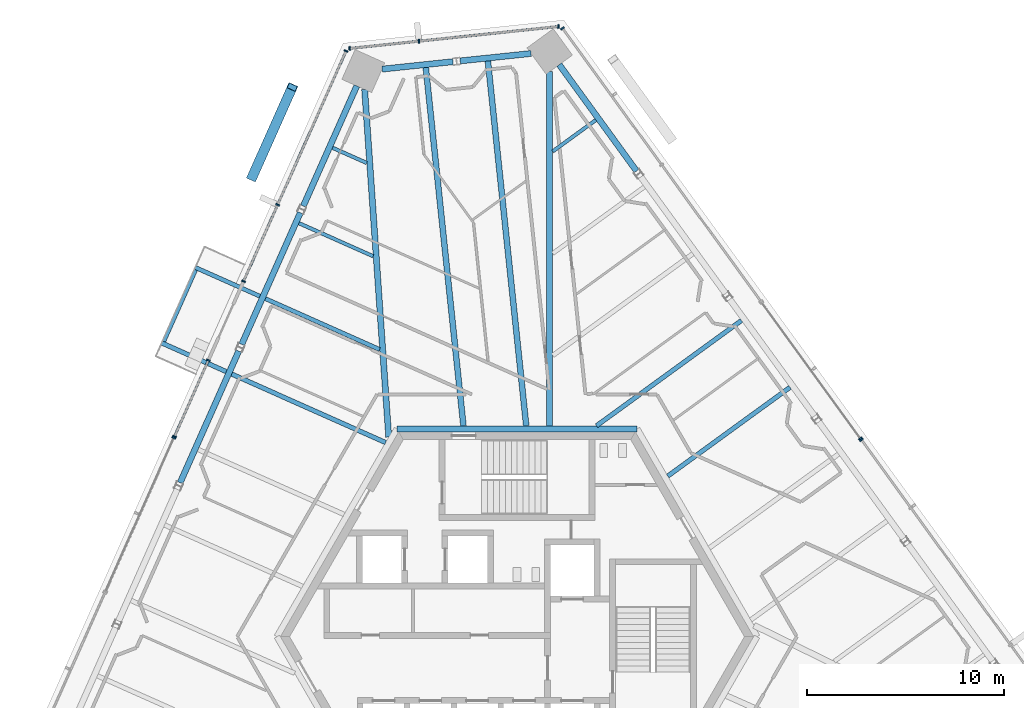
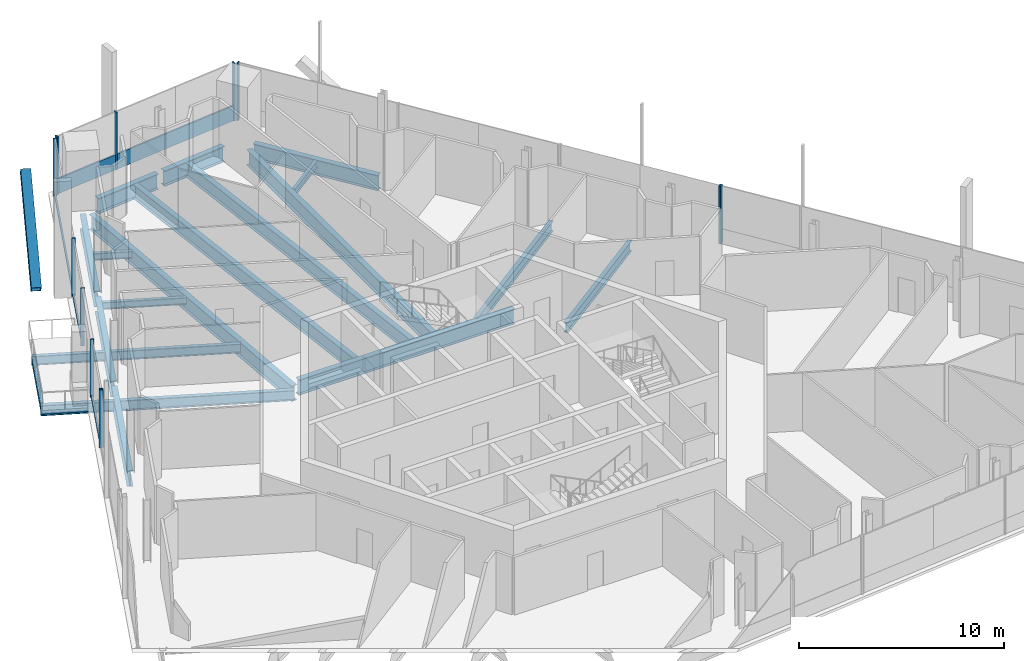
# One storey, part 7 of 21: 21 beams, 18 members, 7 elements without a shape of their own.
"""IFC4 building model written with IfcOpenShell, lengths in metres."""

from ifc_helpers import new_model, si_unit, direction, frame, origin, origin_2d, place, context, subcontext, project, spatial, rectangle, hollow_rectangle, i_section, extrude, source, transform, mapped, material, material_profile, profile_set, type_object, element, aggregate, save


model = new_model("IFC4")

# Units and contexts
model_context = context("Model", 3, precision=1e-05, world=origin(), true_north=direction((0.0, 1.0)))
body_context = subcontext(model_context, "Body", "Model", "MODEL_VIEW")
ifc_project = project(units=[si_unit("LENGTHUNIT", "METRE"), si_unit("AREAUNIT", "SQUARE_METRE"), si_unit("VOLUMEUNIT", "CUBIC_METRE"), si_unit("PLANEANGLEUNIT", "RADIAN"), si_unit("MASSUNIT", "GRAM", prefix="KILO")], contexts=[model_context])

# Site, building, storey
site_placement = place(None, origin())
site = spatial("IfcSite", under=ifc_project, at=site_placement, CompositionType="ELEMENT")
building_placement = place(site_placement, origin())
building = spatial("IfcBuilding", under=site, at=building_placement, Name="Triune Harvest Tower", CompositionType="ELEMENT")
storey_placement = place(building_placement, frame((0.0, 0.0, 248.5)))
storey = spatial("IfcBuildingStorey", under=building, at=storey_placement, Name="L65", CompositionType="ELEMENT", Elevation=248.5)

# Curtain wall, member
ifc_material_1 = material(Name="Aluminium bronze anodised", Category="aluminium")
curtain_wall_type_1 = type_object("IfcCurtainWallType", Name="CW-10 Balcony window wall with insulated spandrel infill", PredefinedType="NOTDEFINED", material=ifc_material_1)
curtain_wall_1_placement = place(storey_placement, origin())
curtain_wall_1 = element("IfcCurtainWall", 1, at=curtain_wall_1_placement, inside=storey, type_object=curtain_wall_type_1, Name="CW-10 B6-F3 L65 run 2")
ifc_material_2 = material(Name="Aluminium bronze anodised", Category="aluminium")
ifc_material_profile_1 = material_profile(ifc_material_2, rectangle(XDim=0.090087890625, YDim=0.14990234375, at=origin_2d()), Name="TR-6 transom 90 x 150")
ifc_profile_set_1 = profile_set([ifc_material_profile_1], Name="Aluminium bronze anodised")
member_type_1 = type_object("IfcMemberType", Name="TR-6 transom 90 x 150", PredefinedType="USERDEFINED", material=ifc_profile_set_1)
member_1_placement = place(storey_placement, frame((-15.671142578125, 13.982421875, 0.074951171875), z_axis=(-0.406749189911, -0.913539871329, 0.0), x_axis=(0.913539871329, -0.406749189911, 0.0)))
member_1 = element("IfcMember", 2, at=member_1_placement, type_object=member_type_1, Name="CW-10 transom B6-F3 2.1", ObjectType="TRANSOM", PredefinedType="USERDEFINED", context=body_context, shape_type="SweptSolid", body=[
    extrude(rectangle(XDim=0.090087890625, YDim=0.14990234375, at=origin_2d()), origin(), (0.0, 0.0, 1.0), 4.153564453125),
])

# Beams
ifc_material_3 = material(Name="Steel ASTM A992 Gr 50", Category="steel")
ifc_material_profile_2 = material_profile(ifc_material_3, i_section(OverallWidth=0.3046875, OverallDepth=0.914306640625, WebThickness=0.0166015625, FlangeThickness=0.02587890625, at=origin_2d()), Name="W36x160")
ifc_profile_set_2 = profile_set([ifc_material_profile_2], Name="Steel ASTM A992 Gr 50")
beam_type_1 = type_object("IfcBeamType", Name="CG-1 Core ring girder W36x160", PredefinedType="BEAM", material=ifc_profile_set_2)
shared_shape_1 = source(origin(), body_context, "Body", "SweptSolid", [
    extrude(i_section(OverallWidth=0.3046875, OverallDepth=0.914306640625, WebThickness=0.0166015625, FlangeThickness=0.02587890625, at=origin_2d()), origin(), (0.0, 0.0, 1.0), 12.17578125),
])
beam_1_placement = place(storey_placement, frame((6.087890625, 10.544677734375, -0.6171875), z_axis=(-1.0, 0.0, 0.0), x_axis=(0.0, -1.0, 0.0)))
element("IfcBeam", 3, at=beam_1_placement, inside=storey, type_object=beam_type_1, Name="beam/L65/CG2", PredefinedType="BEAM", context=body_context, shape_type="MappedRepresentation", body=[
    mapped(shared_shape_1, transform((0.0, 0.0, 0.0), scale=1.0)),
])
ifc_material_4 = material(Name="Steel ASTM A992 Gr 50", Category="steel")
ifc_material_profile_3 = material_profile(ifc_material_4, i_section(OverallWidth=0.3046875, OverallDepth=0.914306640625, WebThickness=0.0166015625, FlangeThickness=0.02587890625, at=origin_2d()), Name="W36x160")
ifc_profile_set_3 = profile_set([ifc_material_profile_3], Name="Steel ASTM A992 Gr 50")
beam_type_2 = type_object("IfcBeamType", Name="SB-1 Spandrel beam W36x160", PredefinedType="SPANDREL", material=ifc_profile_set_3)
shared_shape_2 = source(origin(), body_context, "Body", "SweptSolid", [
    extrude(i_section(OverallWidth=0.3046875, OverallDepth=0.914306640625, WebThickness=0.0166015625, FlangeThickness=0.02587890625, at=origin_2d()), origin(), (0.0, 0.0, 1.0), 6.67041015625),
])
beam_2_placement = place(storey_placement, frame((6.06396484375, 23.617919921875, -0.6171875), z_axis=(-0.587797324645, 0.80900822316, 0.0), x_axis=(-0.80900822316, -0.587797324645, 0.0)))
element("IfcBeam", 4, at=beam_2_placement, inside=storey, type_object=beam_type_2, Name="beam/L65/SB6", PredefinedType="SPANDREL", context=body_context, shape_type="MappedRepresentation", body=[
    mapped(shared_shape_2, transform((0.0, 0.0, 0.0), scale=1.0)),
])
shared_shape_3 = source(origin(), body_context, "Body", "SweptSolid", [
    extrude(i_section(OverallWidth=0.3046875, OverallDepth=0.914306640625, WebThickness=0.0166015625, FlangeThickness=0.02587890625, at=origin_2d()), origin(), (0.0, 0.0, 1.0), 7.31103515625),
])
beam_3_placement = place(storey_placement, frame((-14.114990234375, 14.489013671875, -0.6171875), z_axis=(-0.406761135511, -0.913534552514, 0.0), x_axis=(0.913534552514, -0.406761135511, 0.0)))
element("IfcBeam", 5, at=beam_3_placement, inside=storey, type_object=beam_type_2, Name="beam/L65/SB11", PredefinedType="SPANDREL", context=body_context, shape_type="MappedRepresentation", body=[
    mapped(shared_shape_3, transform((0.0, 0.0, 0.0), scale=1.0)),
])
shared_shape_4 = source(origin(), body_context, "Body", "SweptSolid", [
    extrude(i_section(OverallWidth=0.3046875, OverallDepth=0.914306640625, WebThickness=0.0166015625, FlangeThickness=0.02587890625, at=origin_2d()), origin(), (0.0, 0.0, 1.0), 3.614990234375),
])
for number, where, z_axis, x_axis, name in (
    (6, (0.710693359375, 29.58203125, -0.6171875), (-0.994520245169, -0.104544162673, 0.0), (0.104544162673, -0.994520245169, 0.0), "beam/L65/SB7"),
    (7, (-3.25048828125, 29.165771484375, -0.6171875), (-0.994520245169, -0.104544162673, 0.0), (0.104544162673, -0.994520245169, 0.0), "beam/L65/SB8"),
):
    element("IfcBeam", number, at=place(storey_placement, frame(where, z_axis=z_axis, x_axis=x_axis)), inside=storey, type_object=beam_type_2, Name=name, PredefinedType="SPANDREL", context=body_context, shape_type="MappedRepresentation", body=[
        mapped(shared_shape_4, transform((0.0, 0.0, 0.0), scale=1.0)),
    ])
shared_shape_5 = source(origin(), body_context, "Body", "SweptSolid", [
    extrude(i_section(OverallWidth=0.3046875, OverallDepth=0.914306640625, WebThickness=0.0166015625, FlangeThickness=0.02587890625, at=origin_2d()), origin(), (0.0, 0.0, 1.0), 6.670166015625),
])
beam_4_placement = place(storey_placement, frame((-8.128662109375, 27.9345703125, -0.6171875), z_axis=(-0.406753053854, -0.913538150917, 0.0), x_axis=(0.913538150917, -0.406753053854, 0.0)))
element("IfcBeam", 8, at=beam_4_placement, inside=storey, type_object=beam_type_2, Name="beam/L65/SB9", PredefinedType="SPANDREL", context=body_context, shape_type="MappedRepresentation", body=[
    mapped(shared_shape_5, transform((0.0, 0.0, 0.0), scale=1.0)),
])
shared_shape_6 = source(origin(), body_context, "Body", "SweptSolid", [
    extrude(i_section(OverallWidth=0.3046875, OverallDepth=0.914306640625, WebThickness=0.0166015625, FlangeThickness=0.02587890625, at=origin_2d()), origin(), (0.0, 0.0, 1.0), 7.311279296875),
])
beam_5_placement = place(storey_placement, frame((-10.991455078125, 21.504638671875, -0.6171875), z_axis=(-0.406720859208, -0.91355248491, 0.0), x_axis=(0.91355248491, -0.406720859208, 0.0)))
element("IfcBeam", 9, at=beam_5_placement, inside=storey, type_object=beam_type_2, Name="beam/L65/SB10", PredefinedType="SPANDREL", context=body_context, shape_type="MappedRepresentation", body=[
    mapped(shared_shape_6, transform((0.0, 0.0, 0.0), scale=1.0)),
])
ifc_material_5 = material(Name="Steel ASTM A992 Gr 50", Category="steel")
ifc_material_profile_4 = material_profile(ifc_material_5, i_section(OverallWidth=0.3046875, OverallDepth=0.914306640625, WebThickness=0.0166015625, FlangeThickness=0.02587890625, at=origin_2d()), Name="W36x160")
ifc_profile_set_4 = profile_set([ifc_material_profile_4], Name="Steel ASTM A992 Gr 50")
beam_type_3 = type_object("IfcBeamType", Name="HG-3 Hip girder W36x160", PredefinedType="BEAM", material=ifc_profile_set_4)
shared_shape_7 = source(origin(), body_context, "Body", "SweptSolid", [
    extrude(i_section(OverallWidth=0.3046875, OverallDepth=0.914306640625, WebThickness=0.0166015625, FlangeThickness=0.02587890625, at=origin_2d()), origin(), (0.0, 0.0, 1.0), 17.96484375),
])
beam_6_placement = place(storey_placement, frame((1.658203125, 28.661865234375, -0.6171875), z_axis=(0.0, -1.0, 0.0), x_axis=(1.0, 0.0, 0.0)))
element("IfcBeam", 10, at=beam_6_placement, inside=storey, type_object=beam_type_3, Name="beam/L65/HG3", PredefinedType="BEAM", context=body_context, shape_type="MappedRepresentation", body=[
    mapped(shared_shape_7, transform((0.0, 0.0, 0.0), scale=1.0)),
])
shared_shape_8 = source(origin(), body_context, "Body", "SweptSolid", [
    extrude(i_section(OverallWidth=0.3046875, OverallDepth=0.914306640625, WebThickness=0.0166015625, FlangeThickness=0.02587890625, at=origin_2d()), origin(), (0.0, 0.0, 1.0), 17.6748046875),
])
beam_7_placement = place(storey_placement, frame((-7.728515625, 27.756591796875, -0.6171875), z_axis=(0.069119702871, -0.997608373399, 0.0), x_axis=(0.997608373399, 0.069119702871, 0.0)))
element("IfcBeam", 11, at=beam_7_placement, inside=storey, type_object=beam_type_3, Name="beam/L65/HG4", PredefinedType="BEAM", context=body_context, shape_type="MappedRepresentation", body=[
    mapped(shared_shape_8, transform((0.0, 0.0, 0.0), scale=1.0)),
])
ifc_material_6 = material(Name="Steel ASTM A992 Gr 50", Category="steel")
ifc_material_profile_5 = material_profile(ifc_material_6, i_section(OverallWidth=0.2099609375, OverallDepth=0.535888671875, WebThickness=0.010986328125, FlangeThickness=0.017333984375, at=origin_2d()), Name="W21x68")
ifc_profile_set_5 = profile_set([ifc_material_profile_5], Name="Steel ASTM A992 Gr 50")
beam_type_4 = type_object("IfcBeamType", Name="JT-2 Floor joist W21x68", PredefinedType="JOIST", material=ifc_profile_set_5)
shared_shape_9 = source(origin(), body_context, "Body", "SweptSolid", [
    extrude(i_section(OverallWidth=0.2099609375, OverallDepth=0.535888671875, WebThickness=0.010986328125, FlangeThickness=0.017333984375, at=origin_2d()), origin(), (0.0, 0.0, 1.0), 6.346435546875),
])
beam_8_placement = place(storey_placement, frame((-12.76513671875, 17.146484375, -0.427978515625), z_axis=(0.913549614508, -0.406727306476, 0.0), x_axis=(0.406727306476, 0.913549614508, 0.0)))
element("IfcBeam", 12, at=beam_8_placement, inside=storey, type_object=beam_type_4, Name="beam/L65/JT15", PredefinedType="JOIST", context=body_context, shape_type="MappedRepresentation", body=[
    mapped(shared_shape_9, transform((0.0, 0.0, 0.0), scale=1.0)),
])
ifc_material_7 = material(Name="Steel ASTM A992 Gr 50", Category="steel")
ifc_material_profile_6 = material_profile(ifc_material_7, i_section(OverallWidth=0.22900390625, OverallDepth=0.612060546875, WebThickness=0.011962890625, FlangeThickness=0.01953125, at=origin_2d()), Name="W24x84")
ifc_profile_set_6 = profile_set([ifc_material_profile_6], Name="Steel ASTM A992 Gr 50")
beam_type_5 = type_object("IfcBeamType", Name="JT-3 Floor joist W24x84", PredefinedType="JOIST", material=ifc_profile_set_6)
shared_shape_10 = source(origin(), body_context, "Body", "SweptSolid", [
    extrude(i_section(OverallWidth=0.22900390625, OverallDepth=0.612060546875, WebThickness=0.011962890625, FlangeThickness=0.01953125, at=origin_2d()), origin(), (0.0, 0.0, 1.0), 7.659423828125),
])
beam_9_placement = place(storey_placement, frame((13.845458984375, 12.648193359375, -0.466064453125), z_axis=(-0.809007534686, -0.587798272217, 0.0), x_axis=(0.587798272217, -0.809007534686, 0.0)))
element("IfcBeam", 13, at=beam_9_placement, inside=storey, type_object=beam_type_5, Name="beam/L65/JT6", PredefinedType="JOIST", context=body_context, shape_type="MappedRepresentation", body=[
    mapped(shared_shape_10, transform((0.0, 0.0, 0.0), scale=1.0)),
])
shared_shape_11 = source(origin(), body_context, "Body", "SweptSolid", [
    extrude(i_section(OverallWidth=0.22900390625, OverallDepth=0.612060546875, WebThickness=0.011962890625, FlangeThickness=0.01953125, at=origin_2d()), origin(), (0.0, 0.0, 1.0), 9.084716796875),
])
beam_10_placement = place(storey_placement, frame((11.38330078125, 16.036865234375, -0.466064453125), z_axis=(-0.809014901919, -0.5877881323, 0.0), x_axis=(0.5877881323, -0.809014901919, 0.0)))
element("IfcBeam", 14, at=beam_10_placement, inside=storey, type_object=beam_type_5, Name="beam/L65/JT7", PredefinedType="JOIST", context=body_context, shape_type="MappedRepresentation", body=[
    mapped(shared_shape_11, transform((0.0, 0.0, 0.0), scale=1.0)),
])
ifc_material_8 = material(Name="Steel ASTM A992 Gr 50", Category="steel")
ifc_material_profile_7 = material_profile(ifc_material_8, i_section(OverallWidth=0.180908203125, OverallDepth=0.41650390625, WebThickness=0.010986328125, FlangeThickness=0.01806640625, at=origin_2d()), Name="W16x57")
ifc_profile_set_7 = profile_set([ifc_material_profile_7], Name="Steel ASTM A992 Gr 50")
beam_type_6 = type_object("IfcBeamType", Name="JT-1 Floor joist W16x57", PredefinedType="JOIST", material=ifc_profile_set_7)
shared_shape_12 = source(origin(), body_context, "Body", "SweptSolid", [
    extrude(i_section(OverallWidth=0.180908203125, OverallDepth=0.41650390625, WebThickness=0.010986328125, FlangeThickness=0.01806640625, at=origin_2d()), origin(), (0.0, 0.0, 1.0), 2.70263671875),
])
beam_11_placement = place(storey_placement, frame((3.9970703125, 26.203369140625, -0.368408203125), z_axis=(-0.809013338029, -0.587790284788, 0.0), x_axis=(0.587790284788, -0.809013338029, 0.0)))
element("IfcBeam", 15, at=beam_11_placement, inside=storey, type_object=beam_type_6, Name="beam/L65/JT10", PredefinedType="JOIST", context=body_context, shape_type="MappedRepresentation", body=[
    mapped(shared_shape_12, transform((0.0, 0.0, 0.0), scale=1.0)),
])
ifc_material_9 = material(Name="Steel ASTM A992 Gr 50", Category="steel")
ifc_material_profile_8 = material_profile(ifc_material_9, i_section(OverallWidth=0.2919921875, OverallDepth=0.8408203125, WebThickness=0.0146484375, FlangeThickness=0.021728515625, at=origin_2d()), Name="W33x130")
ifc_profile_set_8 = profile_set([ifc_material_profile_8], Name="Steel ASTM A992 Gr 50")
beam_type_7 = type_object("IfcBeamType", Name="JT-6 Floor joist W33x130", PredefinedType="JOIST", material=ifc_profile_set_8)
shared_shape_13 = source(origin(), body_context, "Body", "SweptSolid", [
    extrude(i_section(OverallWidth=0.2919921875, OverallDepth=0.8408203125, WebThickness=0.0146484375, FlangeThickness=0.021728515625, at=origin_2d()), origin(), (0.0, 0.0, 1.0), 18.60400390625),
])
beam_12_placement = place(storey_placement, frame((-1.476318359375, 29.198974609375, -0.580322265625), z_axis=(0.104538595675, -0.994520830357, 0.0), x_axis=(0.994520830357, 0.104538595675, 0.0)))
element("IfcBeam", 16, at=beam_12_placement, inside=storey, type_object=beam_type_7, Name="beam/L65/JT11", PredefinedType="JOIST", context=body_context, shape_type="MappedRepresentation", body=[
    mapped(shared_shape_13, transform((0.0, 0.0, 0.0), scale=1.0)),
])
shared_shape_14 = source(origin(), body_context, "Body", "SweptSolid", [
    extrude(i_section(OverallWidth=0.2919921875, OverallDepth=0.8408203125, WebThickness=0.0146484375, FlangeThickness=0.021728515625, at=origin_2d()), origin(), (0.0, 0.0, 1.0), 18.27099609375),
])
beam_13_placement = place(storey_placement, frame((-4.626708984375, 28.867919921875, -0.580322265625), z_axis=(0.104532454263, -0.99452147589, 0.0), x_axis=(0.99452147589, 0.104532454263, 0.0)))
element("IfcBeam", 17, at=beam_13_placement, inside=storey, type_object=beam_type_7, Name="beam/L65/JT12", PredefinedType="JOIST", context=body_context, shape_type="MappedRepresentation", body=[
    mapped(shared_shape_14, transform((0.0, 0.0, 0.0), scale=1.0)),
])
shared_shape_15 = source(origin(), body_context, "Body", "SweptSolid", [
    extrude(i_section(OverallWidth=0.180908203125, OverallDepth=0.41650390625, WebThickness=0.010986328125, FlangeThickness=0.01806640625, at=origin_2d()), origin(), (0.0, 0.0, 1.0), 1.899169921875),
])
beam_14_placement = place(storey_placement, frame((-9.357666015625, 24.7998046875, -0.368408203125), z_axis=(0.913535666592, -0.406758633422, 0.0), x_axis=(0.406758633422, 0.913535666592, 0.0)))
element("IfcBeam", 18, at=beam_14_placement, inside=storey, type_object=beam_type_6, Name="beam/L65/JT13", PredefinedType="JOIST", context=body_context, shape_type="MappedRepresentation", body=[
    mapped(shared_shape_15, transform((0.0, 0.0, 0.0), scale=1.0)),
])
shared_shape_16 = source(origin(), body_context, "Body", "SweptSolid", [
    extrude(i_section(OverallWidth=0.180908203125, OverallDepth=0.41650390625, WebThickness=0.010986328125, FlangeThickness=0.01806640625, at=origin_2d()), origin(), (0.0, 0.0, 1.0), 4.12255859375),
])
beam_15_placement = place(storey_placement, frame((-11.061279296875, 20.972900390625, -0.368408203125), z_axis=(0.913547607509, -0.406731814363, 0.0), x_axis=(0.406731814363, 0.913547607509, 0.0)))
element("IfcBeam", 19, at=beam_15_placement, inside=storey, type_object=beam_type_6, Name="beam/L65/JT14", PredefinedType="JOIST", context=body_context, shape_type="MappedRepresentation", body=[
    mapped(shared_shape_16, transform((0.0, 0.0, 0.0), scale=1.0)),
])
shared_shape_17 = source(origin(), body_context, "Body", "SweptSolid", [
    extrude(i_section(OverallWidth=0.22900390625, OverallDepth=0.612060546875, WebThickness=0.011962890625, FlangeThickness=0.01953125, at=origin_2d()), origin(), (0.0, 0.0, 1.0), 8.539794921875),
])
beam_16_placement = place(storey_placement, frame((-14.46875, 13.319580078125, -0.466064453125), z_axis=(0.913548460016, -0.406729899567, 0.0), x_axis=(0.406729899567, 0.913548460016, 0.0)))
element("IfcBeam", 20, at=beam_16_placement, inside=storey, type_object=beam_type_5, Name="beam/L65/JT16", PredefinedType="JOIST", context=body_context, shape_type="MappedRepresentation", body=[
    mapped(shared_shape_17, transform((0.0, 0.0, 0.0), scale=1.0)),
])

# Member
ifc_material_10 = material(Name="Steel ASTM A572 Gr 50", Category="steel")
ifc_material_profile_9 = material_profile(ifc_material_10, hollow_rectangle(XDim=0.5, YDim=0.5, WallThickness=0.030029296875, at=origin_2d()), Name="Box 500x500x30")
ifc_profile_set_9 = profile_set([ifc_material_profile_9], Name="Steel ASTM A572 Gr 50")
member_type_2 = type_object("IfcMemberType", Name="BR-3 Brace Box 500x500x30", PredefinedType="BRACE", material=ifc_profile_set_9)
shared_shape_18 = source(origin(), body_context, "Body", "SweptSolid", [
    extrude(hollow_rectangle(XDim=0.5, YDim=0.5, WallThickness=0.030029296875, at=origin_2d()), origin(), (0.0, 0.0, 1.0), 6.1708984375),
])
member_2_placement = place(storey_placement, frame((-13.43896484375, 23.29833984375, 0.0), z_axis=(0.330352036276, 0.741966717165, 0.583397739752), x_axis=(-0.913542177249, 0.406744010879, 0.0)))
element("IfcMember", 21, at=member_2_placement, inside=storey, type_object=member_type_2, Name="brace/B6-F3/d2/9", PredefinedType="BRACE", context=body_context, shape_type="MappedRepresentation", body=[
    mapped(shared_shape_18, transform((0.0, 0.0, 0.0), scale=1.0)),
])

# Curtain wall, member
ifc_material_11 = material(Name="Aluminium bronze anodised", Category="aluminium")
curtain_wall_type_2 = type_object("IfcCurtainWallType", Name="CW-7 Tower stick curtain wall with insulated spandrel infill", PredefinedType="NOTDEFINED", material=ifc_material_11)
curtain_wall_2_placement = place(storey_placement, origin())
curtain_wall_2 = element("IfcCurtainWall", 22, at=curtain_wall_2_placement, inside=storey, type_object=curtain_wall_type_2, Name="CW-7 B6-F1 L65 run 1")
ifc_material_12 = material(Name="Aluminium bronze anodised", Category="aluminium")
ifc_material_profile_10 = material_profile(ifc_material_12, rectangle(XDim=0.199951171875, YDim=0.074951171875, at=origin_2d()), Name="MU-1 mullion 75 x 200")
ifc_profile_set_10 = profile_set([ifc_material_profile_10], Name="Aluminium bronze anodised")
member_type_3 = type_object("IfcMemberType", Name="MU-1 mullion 75 x 200", PredefinedType="MULLION", material=ifc_profile_set_10)
shared_shape_19 = source(origin(), body_context, "Body", "SweptSolid", [
    extrude(rectangle(XDim=0.199951171875, YDim=0.074951171875, at=origin_2d()), origin(), (0.0, 0.0, 1.0), 3.43994140625),
])
member_3_placement = place(storey_placement, frame((17.468994140625, 9.988037109375, 0.0), z_axis=(0.0, 0.0, 1.0), x_axis=(-0.809016399108, -0.587786071606, 0.0)))
member_3 = element("IfcMember", 23, at=member_3_placement, type_object=member_type_3, Name="CW-7 mullion B6-F1 1.6", PredefinedType="MULLION", context=body_context, shape_type="MappedRepresentation", body=[
    mapped(shared_shape_19, transform((0.0, 0.0, 0.0), scale=1.0)),
])
aggregate(curtain_wall_2, [member_3])

ifc_material_13 = material(Name="Aluminium bronze anodised", Category="aluminium")
curtain_wall_type_3 = type_object("IfcCurtainWallType", Name="CW-1 Tower stick curtain wall", PredefinedType="NOTDEFINED", material=ifc_material_13)
curtain_wall_3_placement = place(storey_placement, origin())
curtain_wall_3 = element("IfcCurtainWall", 24, at=curtain_wall_3_placement, inside=storey, type_object=curtain_wall_type_3, Name="CW-1 B6-F1 L65 run 1001")
member_4_placement = place(storey_placement, frame((17.4248046875, 10.048828125, 0.0), z_axis=(0.0, 0.0, 1.0), x_axis=(-0.809018080277, -0.587783757674, 0.0)))
member_4 = element("IfcMember", 25, at=member_4_placement, type_object=member_type_3, Name="CW-1 mullion B6-F1 1001.1", PredefinedType="MULLION", context=body_context, shape_type="MappedRepresentation", body=[
    mapped(shared_shape_19, transform((0.0, 0.0, 0.0), scale=1.0)),
])
aggregate(curtain_wall_3, [member_4])

curtain_wall_4_placement = place(storey_placement, origin())
curtain_wall_4 = element("IfcCurtainWall", 26, at=curtain_wall_4_placement, inside=storey, type_object=curtain_wall_type_2, Name="CW-7 B6-F1 L65 run 2001")
member_5_placement = place(storey_placement, frame((2.303955078125, 30.86083984375, 0.0), z_axis=(0.0, 0.0, 1.0), x_axis=(-0.809016356822, -0.587786129808, 0.0)))
member_5 = element("IfcMember", 27, at=member_5_placement, type_object=member_type_3, Name="CW-7 mullion B6-F1 2001.5", PredefinedType="MULLION", context=body_context, shape_type="MappedRepresentation", body=[
    mapped(shared_shape_19, transform((0.0, 0.0, 0.0), scale=1.0)),
])
aggregate(curtain_wall_4, [member_5])

# Curtain wall, members
curtain_wall_5_placement = place(storey_placement, origin())
curtain_wall_5 = element("IfcCurtainWall", 28, at=curtain_wall_5_placement, inside=storey, type_object=curtain_wall_type_2, Name="CW-7 B6-F2 L65 run 1")
member_6_placement = place(storey_placement, frame((2.102294921875, 30.95068359375, 0.0), z_axis=(0.0, 0.0, 1.0), x_axis=(0.104529672907, -0.994521768229, 0.0)))
member_6 = element("IfcMember", 29, at=member_6_placement, type_object=member_type_3, Name="CW-7 mullion B6-F2 1.1", PredefinedType="MULLION", context=body_context, shape_type="MappedRepresentation", body=[
    mapped(shared_shape_19, transform((0.0, 0.0, 0.0), scale=1.0)),
])
member_7_placement = place(storey_placement, frame((-4.972412109375, 30.20703125, 0.0), z_axis=(0.0, 0.0, 1.0), x_axis=(0.104529672907, -0.994521768229, 0.0)))
member_7 = element("IfcMember", 30, at=member_7_placement, type_object=member_type_3, Name="CW-7 mullion B6-F2 1.3", PredefinedType="MULLION", context=body_context, shape_type="MappedRepresentation", body=[
    mapped(shared_shape_19, transform((0.0, 0.0, 0.0), scale=1.0)),
])
member_8_placement = place(storey_placement, frame((-8.4912109375, 29.837158203125, 0.0), z_axis=(0.0, 0.0, 1.0), x_axis=(0.104529672907, -0.994521768229, 0.0)))
member_8 = element("IfcMember", 31, at=member_8_placement, type_object=member_type_3, Name="CW-7 mullion B6-F2 1.4", PredefinedType="MULLION", context=body_context, shape_type="MappedRepresentation", body=[
    mapped(shared_shape_19, transform((0.0, 0.0, 0.0), scale=1.0)),
])

curtain_wall_6_placement = place(storey_placement, origin())
curtain_wall_6 = element("IfcCurtainWall", 32, at=curtain_wall_6_placement, inside=storey, type_object=curtain_wall_type_1, Name="CW-10 B6-F3 L65 run 1")
ifc_material_14 = material(Name="Aluminium bronze anodised", Category="aluminium")
ifc_material_profile_11 = material_profile(ifc_material_14, rectangle(XDim=0.199951171875, YDim=0.074951171875, at=origin_2d()), Name="MU-6 mullion 75 x 200")
ifc_profile_set_11 = profile_set([ifc_material_profile_11], Name="Aluminium bronze anodised")
member_type_4 = type_object("IfcMemberType", Name="MU-6 mullion 75 x 200", PredefinedType="MULLION", material=ifc_profile_set_11)
shared_shape_20 = source(origin(), body_context, "Body", "SweptSolid", [
    extrude(rectangle(XDim=0.199951171875, YDim=0.074951171875, at=origin_2d()), origin(), (0.0, 0.0, 1.0), 3.43994140625),
])
member_9_placement = place(storey_placement, frame((-8.669921875, 29.707275390625, 0.0), z_axis=(0.0, 0.0, 1.0), x_axis=(0.91354489257, -0.406737912248, 0.0)))
member_9 = element("IfcMember", 33, at=member_9_placement, type_object=member_type_4, Name="CW-10 mullion B6-F3 1.1", PredefinedType="MULLION", context=body_context, shape_type="MappedRepresentation", body=[
    mapped(shared_shape_20, transform((0.0, 0.0, 0.0), scale=1.0)),
])
member_10_placement = place(storey_placement, frame((-12.1416015625, 21.909912109375, 0.0), z_axis=(0.0, 0.0, 1.0), x_axis=(0.91354489257, -0.406737912248, 0.0)))
member_10 = element("IfcMember", 34, at=member_10_placement, type_object=member_type_4, Name="CW-10 mullion B6-F3 1.3", PredefinedType="MULLION", context=body_context, shape_type="MappedRepresentation", body=[
    mapped(shared_shape_20, transform((0.0, 0.0, 0.0), scale=1.0)),
])
member_11_placement = place(storey_placement, frame((-13.869873046875, 18.0283203125, 0.0), z_axis=(0.0, 0.0, 1.0), x_axis=(0.91354489257, -0.406737912248, 0.0)))
member_11 = element("IfcMember", 35, at=member_11_placement, type_object=member_type_4, Name="CW-10 mullion B6-F3 1.4", PredefinedType="MULLION", context=body_context, shape_type="MappedRepresentation", body=[
    mapped(shared_shape_20, transform((0.0, 0.0, 0.0), scale=1.0)),
])

# Member
member_12_placement = place(storey_placement, frame((-15.656005859375, 14.0166015625, 0.0), z_axis=(0.0, 0.0, 1.0), x_axis=(0.913540781413, -0.406747145896, 0.0)))
member_12 = element("IfcMember", 36, at=member_12_placement, type_object=member_type_4, Name="CW-10 mullion B6-F3 2.1", PredefinedType="MULLION", context=body_context, shape_type="MappedRepresentation", body=[
    mapped(shared_shape_20, transform((0.0, 0.0, 0.0), scale=1.0)),
])

member_13_placement = place(storey_placement, frame((-17.375732421875, 10.15380859375, 0.0), z_axis=(0.0, 0.0, 1.0), x_axis=(0.913540781413, -0.406747145896, 0.0)))
member_13 = element("IfcMember", 37, at=member_13_placement, type_object=member_type_4, Name="CW-10 mullion B6-F3 2.2", PredefinedType="MULLION", context=body_context, shape_type="MappedRepresentation", body=[
    mapped(shared_shape_20, transform((0.0, 0.0, 0.0), scale=1.0)),
])

aggregate(curtain_wall_1, [member_12, member_13, member_1])

# Curtain wall, member
ifc_material_15 = material(Name="Aluminium bronze anodised", Category="aluminium")
curtain_wall_type_4 = type_object("IfcCurtainWallType", Name="CW-6 Balcony window wall", PredefinedType="NOTDEFINED", material=ifc_material_15)
curtain_wall_7_placement = place(storey_placement, origin())
curtain_wall_7 = element("IfcCurtainWall", 38, at=curtain_wall_7_placement, inside=storey, type_object=curtain_wall_type_4, Name="CW-6 B6-F3 L65 run 1002")
member_14_placement = place(storey_placement, frame((-17.40625, 10.085205078125, 0.0), z_axis=(0.0, 0.0, 1.0), x_axis=(0.913544966775, -0.406737745581, 0.0)))
member_14 = element("IfcMember", 39, at=member_14_placement, type_object=member_type_4, Name="CW-6 mullion B6-F3 1002.1", PredefinedType="MULLION", context=body_context, shape_type="MappedRepresentation", body=[
    mapped(shared_shape_20, transform((0.0, 0.0, 0.0), scale=1.0)),
])
aggregate(curtain_wall_7, [member_14])

# Beams
ifc_material_16 = material(Name="Steel ASTM A992 Gr 50", Category="steel")
ifc_material_profile_12 = material_profile(ifc_material_16, i_section(OverallWidth=0.22900390625, OverallDepth=0.612060546875, WebThickness=0.011962890625, FlangeThickness=0.01953125, at=origin_2d()), Name="W24x84")
ifc_profile_set_12 = profile_set([ifc_material_profile_12], Name="Steel ASTM A992 Gr 50")
beam_type_8 = type_object("IfcBeamType", Name="BJ-3 Balcony cantilever joist W24x84", PredefinedType="JOIST", material=ifc_profile_set_12)
shared_shape_21 = source(origin(), body_context, "Body", "SweptSolid", [
    extrude(i_section(OverallWidth=0.22900390625, OverallDepth=0.612060546875, WebThickness=0.011962890625, FlangeThickness=0.01953125, at=origin_2d()), origin(), (0.0, 0.0, 1.0), 3.59765625),
])
beam_17_placement = place(storey_placement, frame((-14.747314453125, 13.443603515625, -0.466064453125), z_axis=(-0.91353710021, 0.406755413658, 0.0), x_axis=(-0.406755413658, -0.91353710021, 0.0)))
element("IfcBeam", 40, at=beam_17_placement, inside=storey, type_object=beam_type_8, Name="Balcony cantilever joist B6-F3 L65.4b", PredefinedType="JOIST", context=body_context, shape_type="MappedRepresentation", body=[
    mapped(shared_shape_21, transform((0.0, 0.0, 0.0), scale=1.0)),
])
ifc_material_17 = material(Name="Steel ASTM A992 Gr 50", Category="steel")
ifc_material_profile_13 = material_profile(ifc_material_17, i_section(OverallWidth=0.2099609375, OverallDepth=0.535888671875, WebThickness=0.010986328125, FlangeThickness=0.017333984375, at=origin_2d()), Name="W21x68")
ifc_profile_set_13 = profile_set([ifc_material_profile_13], Name="Steel ASTM A992 Gr 50")
beam_type_9 = type_object("IfcBeamType", Name="BJ-2 Balcony cantilever joist W21x68", PredefinedType="JOIST", material=ifc_profile_set_13)
shared_shape_22 = source(origin(), body_context, "Body", "SweptSolid", [
    extrude(i_section(OverallWidth=0.2099609375, OverallDepth=0.535888671875, WebThickness=0.010986328125, FlangeThickness=0.017333984375, at=origin_2d()), origin(), (0.0, 0.0, 1.0), 3.59765625),
])
beam_18_placement = place(storey_placement, frame((-13.04345703125, 17.2705078125, -0.427978515625), z_axis=(-0.913562315147, 0.406698778389, 0.0), x_axis=(-0.406698778389, -0.913562315147, 0.0)))
element("IfcBeam", 41, at=beam_18_placement, inside=storey, type_object=beam_type_9, Name="Balcony cantilever joist B6-F3 L65.4a", PredefinedType="JOIST", context=body_context, shape_type="MappedRepresentation", body=[
    mapped(shared_shape_22, transform((0.0, 0.0, 0.0), scale=1.0)),
])

# Member
ifc_material_18 = material(Name="Aluminium bronze anodised", Category="aluminium")
ifc_material_profile_14 = material_profile(ifc_material_18, rectangle(XDim=0.090087890625, YDim=0.89990234375, at=origin_2d()), Name="TR-1 transom 90 x 900")
ifc_profile_set_14 = profile_set([ifc_material_profile_14], Name="Aluminium bronze anodised")
member_type_5 = type_object("IfcMemberType", Name="TR-1 transom 90 x 900", PredefinedType="USERDEFINED", material=ifc_profile_set_14)
shared_shape_23 = source(origin(), body_context, "Body", "SweptSolid", [
    extrude(rectangle(XDim=0.090087890625, YDim=0.89990234375, at=origin_2d()), origin(), (0.0, 0.0, 1.0), 7.038818359375),
])
member_15_placement = place(storey_placement, frame((2.06494140625, 30.946533203125, 0.449951171875), z_axis=(-0.994524252306, -0.104506036069, 0.0), x_axis=(0.104506036069, -0.994524252306, 0.0)))
member_15 = element("IfcMember", 42, at=member_15_placement, type_object=member_type_5, Name="CW-7 transom B6-F2 1.1", ObjectType="TRANSOM", PredefinedType="USERDEFINED", context=body_context, shape_type="MappedRepresentation", body=[
    mapped(shared_shape_23, transform((0.0, 0.0, 0.0), scale=1.0)),
])

shared_shape_24 = source(origin(), body_context, "Body", "SweptSolid", [
    extrude(rectangle(XDim=0.090087890625, YDim=0.89990234375, at=origin_2d()), origin(), (0.0, 0.0, 1.0), 3.46337890625),
])
member_16_placement = place(storey_placement, frame((-5.009765625, 30.203125, 0.449951171875), z_axis=(-0.994520506962, -0.10454167223, 0.0), x_axis=(0.10454167223, -0.994520506962, 0.0)))
member_16 = element("IfcMember", 43, at=member_16_placement, type_object=member_type_5, Name="CW-7 transom B6-F2 1.2", ObjectType="TRANSOM", PredefinedType="USERDEFINED", context=body_context, shape_type="MappedRepresentation", body=[
    mapped(shared_shape_24, transform((0.0, 0.0, 0.0), scale=1.0)),
])

aggregate(curtain_wall_5, [member_6, member_7, member_8, member_15, member_16])

shared_shape_25 = source(origin(), body_context, "Body", "SweptSolid", [
    extrude(rectangle(XDim=0.090087890625, YDim=0.14990234375, at=origin_2d()), origin(), (0.0, 0.0, 1.0), 8.460205078125),
])
member_17_placement = place(storey_placement, frame((-8.685302734375, 29.673095703125, 0.074951171875), z_axis=(-0.406722084629, -0.913551939342, 0.0), x_axis=(0.913551939342, -0.406722084629, 0.0)))
member_17 = element("IfcMember", 44, at=member_17_placement, type_object=member_type_1, Name="CW-10 transom B6-F3 1.1", ObjectType="TRANSOM", PredefinedType="USERDEFINED", context=body_context, shape_type="MappedRepresentation", body=[
    mapped(shared_shape_25, transform((0.0, 0.0, 0.0), scale=1.0)),
])

shared_shape_26 = source(origin(), body_context, "Body", "SweptSolid", [
    extrude(rectangle(XDim=0.090087890625, YDim=0.14990234375, at=origin_2d()), origin(), (0.0, 0.0, 1.0), 4.173828125),
])
member_18_placement = place(storey_placement, frame((-12.15673828125, 21.875732421875, 0.074951171875), z_axis=(-0.406757067172, -0.913536363976, 0.0), x_axis=(0.913536363976, -0.406757067172, 0.0)))
member_18 = element("IfcMember", 45, at=member_18_placement, type_object=member_type_1, Name="CW-10 transom B6-F3 1.2", ObjectType="TRANSOM", PredefinedType="USERDEFINED", context=body_context, shape_type="MappedRepresentation", body=[
    mapped(shared_shape_26, transform((0.0, 0.0, 0.0), scale=1.0)),
])

aggregate(curtain_wall_6, [member_9, member_10, member_11, member_17, member_18])

# Beam
ifc_material_19 = material(Name="Steel ASTM A992 Gr 50", Category="steel")
ifc_material_profile_15 = material_profile(ifc_material_19, i_section(OverallWidth=0.180908203125, OverallDepth=0.41650390625, WebThickness=0.010986328125, FlangeThickness=0.01806640625, at=origin_2d()), Name="W16x57")
ifc_profile_set_15 = profile_set([ifc_material_profile_15], Name="Steel ASTM A992 Gr 50")
beam_type_10 = type_object("IfcBeamType", Name="BE-1 balcony edge beam W16x57", PredefinedType="BEAM", material=ifc_profile_set_15)
shared_shape_27 = source(origin(), body_context, "Body", "SweptSolid", [
    extrude(i_section(OverallWidth=0.180908203125, OverallDepth=0.41650390625, WebThickness=0.010986328125, FlangeThickness=0.01806640625, at=origin_2d()), origin(), (0.0, 0.0, 1.0), 3.96923828125),
])
beam_19_placement = place(storey_placement, frame((-17.90478515625, 14.974853515625, -0.368408203125), z_axis=(0.406760439373, 0.913534862477, 0.0), x_axis=(-0.913534862477, 0.406760439373, 0.0)))
element("IfcBeam", 46, at=beam_19_placement, inside=storey, type_object=beam_type_10, Name="Balcony edge beam B6-F3 L65.4", PredefinedType="BEAM", context=body_context, shape_type="MappedRepresentation", body=[
    mapped(shared_shape_27, transform((0.0, 0.0, 0.0), scale=1.0)),
])

save(model, "model.ifc")
